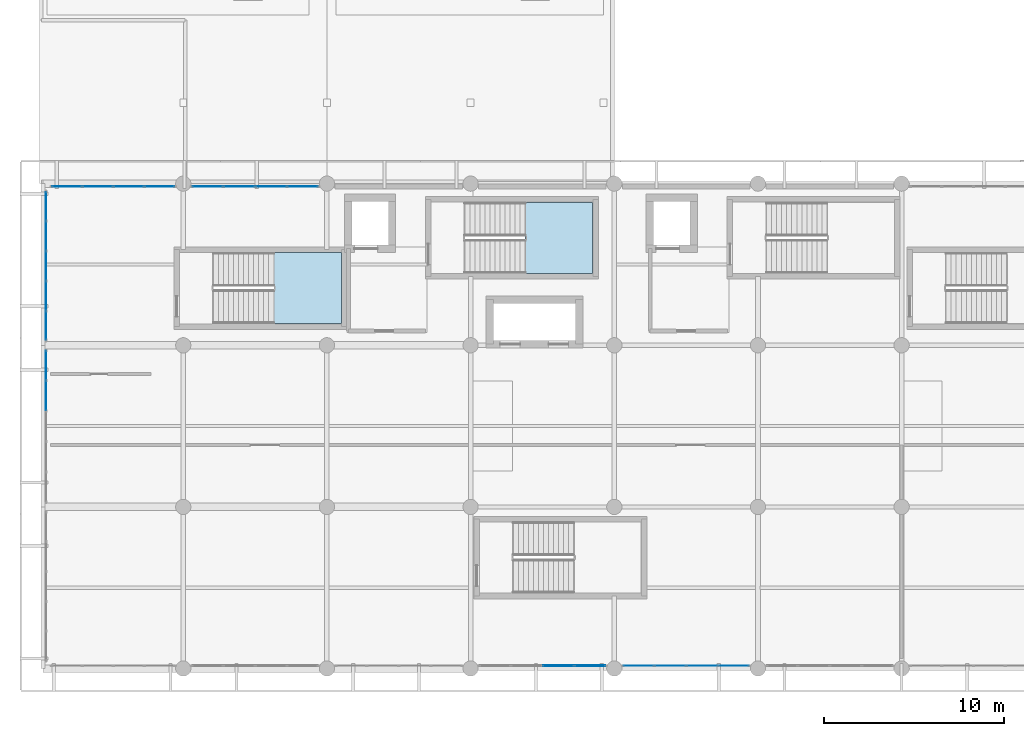
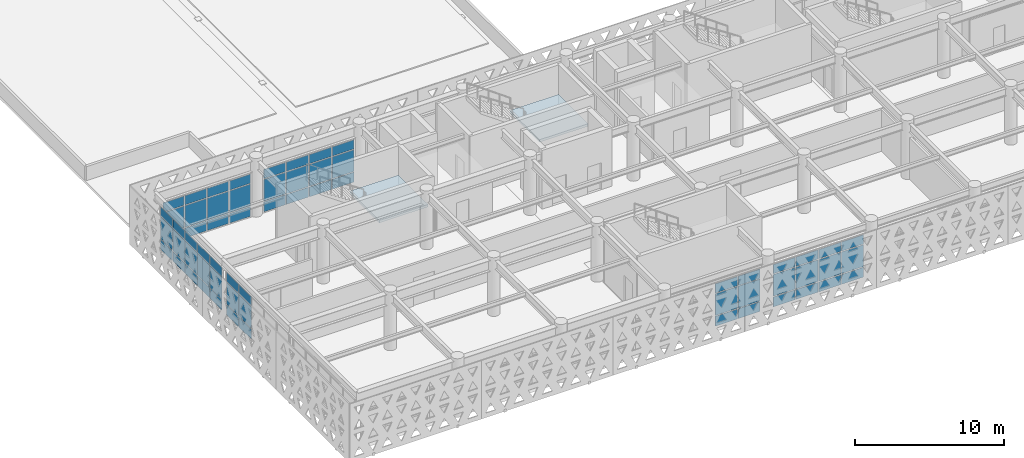
# One storey, part 28 of 54: 63 plates, 2 slabs, 8 elements without a shape of their own.
"""IFC4 building model written with IfcOpenShell, lengths in metres."""

from ifc_helpers import new_model, si_unit, direction, frame, origin, origin_2d, place, context, subcontext, project, spatial, polyline, rectangle, outline, extrude, material, layer, layer_set, type_object, element, aggregate, save


model = new_model("IFC4")

# Units and contexts
model_context = context("Model", 3, precision=1e-05, world=origin(), true_north=direction((0.0, 1.0)))
body_context = subcontext(model_context, "Body", "Model", "MODEL_VIEW")
ifc_project = project(units=[si_unit("LENGTHUNIT", "METRE"), si_unit("AREAUNIT", "SQUARE_METRE"), si_unit("VOLUMEUNIT", "CUBIC_METRE"), si_unit("PLANEANGLEUNIT", "RADIAN"), si_unit("MASSUNIT", "GRAM", prefix="KILO")], contexts=[model_context])

# Site, building, storey
site_placement = place(None, origin())
site = spatial("IfcSite", under=ifc_project, at=site_placement, CompositionType="ELEMENT")
building_placement = place(site_placement, origin())
building = spatial("IfcBuilding", under=site, at=building_placement, Name="Tlacozan Convention Centre", CompositionType="ELEMENT")
storey_placement = place(building_placement, frame((0.0, 0.0, 11.39990234375)))
storey = spatial("IfcBuildingStorey", under=building, at=storey_placement, Name="L02", CompositionType="ELEMENT", Elevation=11.39990234375)

# Curtain wall, plates
ifc_material_1 = material(Name="Dark Bronze Anodised Aluminium", Category="aluminium")
ifc_layer_1 = layer(ifc_material_1, 0.159912109375)
ifc_layer_set_1 = layer_set([ifc_layer_1], Name="Dark Bronze Anodised Aluminium")
curtain_wall_type_1 = type_object("IfcCurtainWallType", Name="Unitised Congress L02 South CW03", PredefinedType="NOTDEFINED", material=ifc_layer_set_1)
curtain_wall_1_placement = place(storey_placement, origin())
curtain_wall_1 = element("IfcCurtainWall", 1, at=curtain_wall_1_placement, inside=storey, type_object=curtain_wall_type_1, Name="L02 CW-03 Run 93", PredefinedType="NOTDEFINED")
ifc_material_2 = material(Name="Solar Control Double Low-E Argon Glazing", Category="glass")
ifc_layer_2 = layer(ifc_material_2, 0.030029296875)
ifc_layer_set_2 = layer_set([ifc_layer_2], Name="Solar Control Double Low-E Argon Glazing")
plate_type_1 = type_object("IfcPlateType", Name="Double Low-E Acoustic CW Panel 30", PredefinedType="CURTAIN_PANEL", material=ifc_layer_set_2)
plate_1_placement = place(storey_placement, frame((1.52880859375, 26.840087890625, 0.06494140625), z_axis=(0.0, 0.0, 1.0), x_axis=(1.0, 0.0, 0.0)))
plate_1 = element("IfcPlate", 2, at=plate_1_placement, type_object=plate_type_1, Name="CW-03 panel 1.1", PredefinedType="CURTAIN_PANEL", context=body_context, shape_type="SweptSolid", body=[
    extrude(rectangle(XDim=1.62744140625, YDim=0.030029296875, at=origin_2d()), origin(), (0.0, 0.0, 1.0), 0.802490234375),
])
plate_2_placement = place(storey_placement, frame((1.52880859375, 26.840087890625, 0.9326171875), z_axis=(0.0, 0.0, 1.0), x_axis=(1.0, 0.0, 0.0)))
plate_2 = element("IfcPlate", 3, at=plate_2_placement, type_object=plate_type_1, Name="CW-03 panel 1.2", PredefinedType="CURTAIN_PANEL", context=body_context, shape_type="SweptSolid", body=[
    extrude(rectangle(XDim=1.62744140625, YDim=0.030029296875, at=origin_2d()), origin(), (0.0, 0.0, 1.0), 1.77490234375),
])
plate_3_placement = place(storey_placement, frame((1.52880859375, 26.840087890625, 2.772705078125), z_axis=(0.0, 0.0, 1.0), x_axis=(1.0, 0.0, 0.0)))
plate_3 = element("IfcPlate", 4, at=plate_3_placement, type_object=plate_type_1, Name="CW-03 panel 1.3", PredefinedType="CURTAIN_PANEL", context=body_context, shape_type="SweptSolid", body=[
    extrude(rectangle(XDim=1.62744140625, YDim=0.030029296875, at=origin_2d()), origin(), (0.0, 0.0, 1.0), 0.75244140625),
])
plate_4_placement = place(storey_placement, frame((3.237548828125, 26.840087890625, 0.06494140625), z_axis=(0.0, 0.0, 1.0), x_axis=(1.0, 0.0, 0.0)))
plate_4 = element("IfcPlate", 5, at=plate_4_placement, type_object=plate_type_1, Name="CW-03 panel 2.1", PredefinedType="CURTAIN_PANEL", context=body_context, shape_type="SweptSolid", body=[
    extrude(rectangle(XDim=1.659912109375, YDim=0.030029296875, at=origin_2d()), origin(), (0.0, 0.0, 1.0), 0.802490234375),
])
plate_5_placement = place(storey_placement, frame((3.237548828125, 26.840087890625, 0.9326171875), z_axis=(0.0, 0.0, 1.0), x_axis=(1.0, 0.0, 0.0)))
plate_5 = element("IfcPlate", 6, at=plate_5_placement, type_object=plate_type_1, Name="CW-03 panel 2.2", PredefinedType="CURTAIN_PANEL", context=body_context, shape_type="SweptSolid", body=[
    extrude(rectangle(XDim=1.659912109375, YDim=0.030029296875, at=origin_2d()), origin(), (0.0, 0.0, 1.0), 1.77490234375),
])
plate_6_placement = place(storey_placement, frame((3.237548828125, 26.840087890625, 2.772705078125), z_axis=(0.0, 0.0, 1.0), x_axis=(1.0, 0.0, 0.0)))
plate_6 = element("IfcPlate", 7, at=plate_6_placement, type_object=plate_type_1, Name="CW-03 panel 2.3", PredefinedType="CURTAIN_PANEL", context=body_context, shape_type="SweptSolid", body=[
    extrude(rectangle(XDim=1.659912109375, YDim=0.030029296875, at=origin_2d()), origin(), (0.0, 0.0, 1.0), 0.75244140625),
])
plate_7_placement = place(storey_placement, frame((4.96240234375, 26.840087890625, 0.06494140625), z_axis=(0.0, 0.0, 1.0), x_axis=(1.0, 0.0, 0.0)))
plate_7 = element("IfcPlate", 8, at=plate_7_placement, type_object=plate_type_1, Name="CW-03 panel 3.1", PredefinedType="CURTAIN_PANEL", context=body_context, shape_type="SweptSolid", body=[
    extrude(rectangle(XDim=1.659912109375, YDim=0.030029296875, at=origin_2d()), origin(), (0.0, 0.0, 1.0), 0.802490234375),
])
plate_8_placement = place(storey_placement, frame((4.96240234375, 26.840087890625, 0.9326171875), z_axis=(0.0, 0.0, 1.0), x_axis=(1.0, 0.0, 0.0)))
plate_8 = element("IfcPlate", 9, at=plate_8_placement, type_object=plate_type_1, Name="CW-03 panel 3.2", PredefinedType="CURTAIN_PANEL", context=body_context, shape_type="SweptSolid", body=[
    extrude(rectangle(XDim=1.659912109375, YDim=0.030029296875, at=origin_2d()), origin(), (0.0, 0.0, 1.0), 1.77490234375),
])
plate_9_placement = place(storey_placement, frame((4.96240234375, 26.840087890625, 2.772705078125), z_axis=(0.0, 0.0, 1.0), x_axis=(1.0, 0.0, 0.0)))
plate_9 = element("IfcPlate", 10, at=plate_9_placement, type_object=plate_type_1, Name="CW-03 panel 3.3", PredefinedType="CURTAIN_PANEL", context=body_context, shape_type="SweptSolid", body=[
    extrude(rectangle(XDim=1.659912109375, YDim=0.030029296875, at=origin_2d()), origin(), (0.0, 0.0, 1.0), 0.75244140625),
])
plate_10_placement = place(storey_placement, frame((6.671142578125, 26.840087890625, 0.06494140625), z_axis=(0.0, 0.0, 1.0), x_axis=(1.0, 0.0, 0.0)))
plate_10 = element("IfcPlate", 11, at=plate_10_placement, type_object=plate_type_1, Name="CW-03 panel 4.1", PredefinedType="CURTAIN_PANEL", context=body_context, shape_type="SweptSolid", body=[
    extrude(rectangle(XDim=1.62744140625, YDim=0.030029296875, at=origin_2d()), origin(), (0.0, 0.0, 1.0), 0.802490234375),
])
plate_11_placement = place(storey_placement, frame((6.671142578125, 26.840087890625, 0.9326171875), z_axis=(0.0, 0.0, 1.0), x_axis=(1.0, 0.0, 0.0)))
plate_11 = element("IfcPlate", 12, at=plate_11_placement, type_object=plate_type_1, Name="CW-03 panel 4.2", PredefinedType="CURTAIN_PANEL", context=body_context, shape_type="SweptSolid", body=[
    extrude(rectangle(XDim=1.62744140625, YDim=0.030029296875, at=origin_2d()), origin(), (0.0, 0.0, 1.0), 1.77490234375),
])
plate_12_placement = place(storey_placement, frame((6.671142578125, 26.840087890625, 2.772705078125), z_axis=(0.0, 0.0, 1.0), x_axis=(1.0, 0.0, 0.0)))
plate_12 = element("IfcPlate", 13, at=plate_12_placement, type_object=plate_type_1, Name="CW-03 panel 4.3", PredefinedType="CURTAIN_PANEL", context=body_context, shape_type="SweptSolid", body=[
    extrude(rectangle(XDim=1.62744140625, YDim=0.030029296875, at=origin_2d()), origin(), (0.0, 0.0, 1.0), 0.75244140625),
])
aggregate(curtain_wall_1, [plate_1, plate_2, plate_3, plate_4, plate_5, plate_6, plate_7, plate_8, plate_9, plate_10, plate_11, plate_12])

curtain_wall_2_placement = place(storey_placement, origin())
curtain_wall_2 = element("IfcCurtainWall", 14, at=curtain_wall_2_placement, inside=storey, type_object=curtain_wall_type_1, Name="L02 CW-03 Run 94", PredefinedType="NOTDEFINED")
plate_13_placement = place(storey_placement, frame((9.353759765625, 26.840087890625, 0.06494140625), z_axis=(0.0, 0.0, 1.0), x_axis=(1.0, 0.0, 0.0)))
plate_13 = element("IfcPlate", 15, at=plate_13_placement, type_object=plate_type_1, Name="CW-03 panel 1.1", PredefinedType="CURTAIN_PANEL", context=body_context, shape_type="SweptSolid", body=[
    extrude(rectangle(XDim=1.677490234375, YDim=0.030029296875, at=origin_2d()), origin(), (0.0, 0.0, 1.0), 0.802490234375),
])
plate_14_placement = place(storey_placement, frame((9.353759765625, 26.840087890625, 0.9326171875), z_axis=(0.0, 0.0, 1.0), x_axis=(1.0, 0.0, 0.0)))
plate_14 = element("IfcPlate", 16, at=plate_14_placement, type_object=plate_type_1, Name="CW-03 panel 1.2", PredefinedType="CURTAIN_PANEL", context=body_context, shape_type="SweptSolid", body=[
    extrude(rectangle(XDim=1.677490234375, YDim=0.030029296875, at=origin_2d()), origin(), (0.0, 0.0, 1.0), 1.77490234375),
])
plate_15_placement = place(storey_placement, frame((9.353759765625, 26.840087890625, 2.772705078125), z_axis=(0.0, 0.0, 1.0), x_axis=(1.0, 0.0, 0.0)))
plate_15 = element("IfcPlate", 17, at=plate_15_placement, type_object=plate_type_1, Name="CW-03 panel 1.3", PredefinedType="CURTAIN_PANEL", context=body_context, shape_type="SweptSolid", body=[
    extrude(rectangle(XDim=1.677490234375, YDim=0.030029296875, at=origin_2d()), origin(), (0.0, 0.0, 1.0), 0.75244140625),
])
plate_16_placement = place(storey_placement, frame((11.112548828125, 26.840087890625, 0.06494140625), z_axis=(0.0, 0.0, 1.0), x_axis=(1.0, 0.0, 0.0)))
plate_16 = element("IfcPlate", 18, at=plate_16_placement, type_object=plate_type_1, Name="CW-03 panel 2.1", PredefinedType="CURTAIN_PANEL", context=body_context, shape_type="SweptSolid", body=[
    extrude(rectangle(XDim=1.7099609375, YDim=0.030029296875, at=origin_2d()), origin(), (0.0, 0.0, 1.0), 0.802490234375),
])
plate_17_placement = place(storey_placement, frame((11.112548828125, 26.840087890625, 0.9326171875), z_axis=(0.0, 0.0, 1.0), x_axis=(1.0, 0.0, 0.0)))
plate_17 = element("IfcPlate", 19, at=plate_17_placement, type_object=plate_type_1, Name="CW-03 panel 2.2", PredefinedType="CURTAIN_PANEL", context=body_context, shape_type="SweptSolid", body=[
    extrude(rectangle(XDim=1.7099609375, YDim=0.030029296875, at=origin_2d()), origin(), (0.0, 0.0, 1.0), 1.77490234375),
])
plate_18_placement = place(storey_placement, frame((11.112548828125, 26.840087890625, 2.772705078125), z_axis=(0.0, 0.0, 1.0), x_axis=(1.0, 0.0, 0.0)))
plate_18 = element("IfcPlate", 20, at=plate_18_placement, type_object=plate_type_1, Name="CW-03 panel 2.3", PredefinedType="CURTAIN_PANEL", context=body_context, shape_type="SweptSolid", body=[
    extrude(rectangle(XDim=1.7099609375, YDim=0.030029296875, at=origin_2d()), origin(), (0.0, 0.0, 1.0), 0.75244140625),
])
plate_19_placement = place(storey_placement, frame((12.887451171875, 26.840087890625, 0.06494140625), z_axis=(0.0, 0.0, 1.0), x_axis=(1.0, 0.0, 0.0)))
plate_19 = element("IfcPlate", 21, at=plate_19_placement, type_object=plate_type_1, Name="CW-03 panel 3.1", PredefinedType="CURTAIN_PANEL", context=body_context, shape_type="SweptSolid", body=[
    extrude(rectangle(XDim=1.7099609375, YDim=0.030029296875, at=origin_2d()), origin(), (0.0, 0.0, 1.0), 0.802490234375),
])
plate_20_placement = place(storey_placement, frame((12.887451171875, 26.840087890625, 0.9326171875), z_axis=(0.0, 0.0, 1.0), x_axis=(1.0, 0.0, 0.0)))
plate_20 = element("IfcPlate", 22, at=plate_20_placement, type_object=plate_type_1, Name="CW-03 panel 3.2", PredefinedType="CURTAIN_PANEL", context=body_context, shape_type="SweptSolid", body=[
    extrude(rectangle(XDim=1.7099609375, YDim=0.030029296875, at=origin_2d()), origin(), (0.0, 0.0, 1.0), 1.77490234375),
])
plate_21_placement = place(storey_placement, frame((12.887451171875, 26.840087890625, 2.772705078125), z_axis=(0.0, 0.0, 1.0), x_axis=(1.0, 0.0, 0.0)))
plate_21 = element("IfcPlate", 23, at=plate_21_placement, type_object=plate_type_1, Name="CW-03 panel 3.3", PredefinedType="CURTAIN_PANEL", context=body_context, shape_type="SweptSolid", body=[
    extrude(rectangle(XDim=1.7099609375, YDim=0.030029296875, at=origin_2d()), origin(), (0.0, 0.0, 1.0), 0.75244140625),
])
plate_22_placement = place(storey_placement, frame((14.646240234375, 26.840087890625, 0.06494140625), z_axis=(0.0, 0.0, 1.0), x_axis=(1.0, 0.0, 0.0)))
plate_22 = element("IfcPlate", 24, at=plate_22_placement, type_object=plate_type_1, Name="CW-03 panel 4.1", PredefinedType="CURTAIN_PANEL", context=body_context, shape_type="SweptSolid", body=[
    extrude(rectangle(XDim=1.677490234375, YDim=0.030029296875, at=origin_2d()), origin(), (0.0, 0.0, 1.0), 0.802490234375),
])
plate_23_placement = place(storey_placement, frame((14.646240234375, 26.840087890625, 0.9326171875), z_axis=(0.0, 0.0, 1.0), x_axis=(1.0, 0.0, 0.0)))
plate_23 = element("IfcPlate", 25, at=plate_23_placement, type_object=plate_type_1, Name="CW-03 panel 4.2", PredefinedType="CURTAIN_PANEL", context=body_context, shape_type="SweptSolid", body=[
    extrude(rectangle(XDim=1.677490234375, YDim=0.030029296875, at=origin_2d()), origin(), (0.0, 0.0, 1.0), 1.77490234375),
])
plate_24_placement = place(storey_placement, frame((14.646240234375, 26.840087890625, 2.772705078125), z_axis=(0.0, 0.0, 1.0), x_axis=(1.0, 0.0, 0.0)))
plate_24 = element("IfcPlate", 26, at=plate_24_placement, type_object=plate_type_1, Name="CW-03 panel 4.3", PredefinedType="CURTAIN_PANEL", context=body_context, shape_type="SweptSolid", body=[
    extrude(rectangle(XDim=1.677490234375, YDim=0.030029296875, at=origin_2d()), origin(), (0.0, 0.0, 1.0), 0.75244140625),
])
aggregate(curtain_wall_2, [plate_13, plate_14, plate_15, plate_16, plate_17, plate_18, plate_19, plate_20, plate_21, plate_22, plate_23, plate_24])

curtain_wall_3_placement = place(storey_placement, origin())
curtain_wall_3 = element("IfcCurtainWall", 27, at=curtain_wall_3_placement, inside=storey, type_object=curtain_wall_type_1, Name="L02 CW-03 Run 82", PredefinedType="NOTDEFINED")
ifc_layer_3 = layer(ifc_material_2, 0.02001953125)
ifc_layer_set_3 = layer_set([ifc_layer_3], Name="Solar Control Double Low-E Argon Glazing")
plate_type_2 = type_object("IfcPlateType", Name="Double Low-E Glazed CW Panel 20", PredefinedType="CURTAIN_PANEL", material=ifc_layer_set_3)
plate_25_placement = place(storey_placement, frame((33.353759765625, 0.159912109375, 0.06494140625), z_axis=(0.0, 0.0, 1.0), x_axis=(1.0, 0.0, 0.0)))
plate_25 = element("IfcPlate", 28, at=plate_25_placement, type_object=plate_type_2, Name="CW-03 panel 1.1", PredefinedType="CURTAIN_PANEL", context=body_context, shape_type="SweptSolid", body=[
    extrude(rectangle(XDim=1.677490234375, YDim=0.02001953125, at=origin_2d()), origin(), (0.0, 0.0, 1.0), 0.802490234375),
])
plate_26_placement = place(storey_placement, frame((33.353759765625, 0.159912109375, 0.9326171875), z_axis=(0.0, 0.0, 1.0), x_axis=(1.0, 0.0, 0.0)))
plate_26 = element("IfcPlate", 29, at=plate_26_placement, type_object=plate_type_2, Name="CW-03 panel 1.2", PredefinedType="CURTAIN_PANEL", context=body_context, shape_type="SweptSolid", body=[
    extrude(rectangle(XDim=1.677490234375, YDim=0.02001953125, at=origin_2d()), origin(), (0.0, 0.0, 1.0), 1.77490234375),
])
plate_27_placement = place(storey_placement, frame((33.353759765625, 0.159912109375, 2.772705078125), z_axis=(0.0, 0.0, 1.0), x_axis=(1.0, 0.0, 0.0)))
plate_27 = element("IfcPlate", 30, at=plate_27_placement, type_object=plate_type_2, Name="CW-03 panel 1.3", PredefinedType="CURTAIN_PANEL", context=body_context, shape_type="SweptSolid", body=[
    extrude(rectangle(XDim=1.677490234375, YDim=0.02001953125, at=origin_2d()), origin(), (0.0, 0.0, 1.0), 0.75244140625),
])
plate_28_placement = place(storey_placement, frame((35.112548828125, 0.159912109375, 0.06494140625), z_axis=(0.0, 0.0, 1.0), x_axis=(1.0, 0.0, 0.0)))
plate_28 = element("IfcPlate", 31, at=plate_28_placement, type_object=plate_type_2, Name="CW-03 panel 2.1", PredefinedType="CURTAIN_PANEL", context=body_context, shape_type="SweptSolid", body=[
    extrude(rectangle(XDim=1.7099609375, YDim=0.02001953125, at=origin_2d()), origin(), (0.0, 0.0, 1.0), 0.802490234375),
])
plate_29_placement = place(storey_placement, frame((35.112548828125, 0.159912109375, 0.9326171875), z_axis=(0.0, 0.0, 1.0), x_axis=(1.0, 0.0, 0.0)))
plate_29 = element("IfcPlate", 32, at=plate_29_placement, type_object=plate_type_2, Name="CW-03 panel 2.2", PredefinedType="CURTAIN_PANEL", context=body_context, shape_type="SweptSolid", body=[
    extrude(rectangle(XDim=1.7099609375, YDim=0.02001953125, at=origin_2d()), origin(), (0.0, 0.0, 1.0), 1.77490234375),
])
plate_30_placement = place(storey_placement, frame((35.112548828125, 0.159912109375, 2.772705078125), z_axis=(0.0, 0.0, 1.0), x_axis=(1.0, 0.0, 0.0)))
plate_30 = element("IfcPlate", 33, at=plate_30_placement, type_object=plate_type_2, Name="CW-03 panel 2.3", PredefinedType="CURTAIN_PANEL", context=body_context, shape_type="SweptSolid", body=[
    extrude(rectangle(XDim=1.7099609375, YDim=0.02001953125, at=origin_2d()), origin(), (0.0, 0.0, 1.0), 0.75244140625),
])
plate_31_placement = place(storey_placement, frame((36.887451171875, 0.159912109375, 0.06494140625), z_axis=(0.0, 0.0, 1.0), x_axis=(1.0, 0.0, 0.0)))
plate_31 = element("IfcPlate", 34, at=plate_31_placement, type_object=plate_type_2, Name="CW-03 panel 3.1", PredefinedType="CURTAIN_PANEL", context=body_context, shape_type="SweptSolid", body=[
    extrude(rectangle(XDim=1.7099609375, YDim=0.02001953125, at=origin_2d()), origin(), (0.0, 0.0, 1.0), 0.802490234375),
])
plate_32_placement = place(storey_placement, frame((36.887451171875, 0.159912109375, 0.9326171875), z_axis=(0.0, 0.0, 1.0), x_axis=(1.0, 0.0, 0.0)))
plate_32 = element("IfcPlate", 35, at=plate_32_placement, type_object=plate_type_2, Name="CW-03 panel 3.2", PredefinedType="CURTAIN_PANEL", context=body_context, shape_type="SweptSolid", body=[
    extrude(rectangle(XDim=1.7099609375, YDim=0.02001953125, at=origin_2d()), origin(), (0.0, 0.0, 1.0), 1.77490234375),
])
plate_33_placement = place(storey_placement, frame((36.887451171875, 0.159912109375, 2.772705078125), z_axis=(0.0, 0.0, 1.0), x_axis=(1.0, 0.0, 0.0)))
plate_33 = element("IfcPlate", 36, at=plate_33_placement, type_object=plate_type_2, Name="CW-03 panel 3.3", PredefinedType="CURTAIN_PANEL", context=body_context, shape_type="SweptSolid", body=[
    extrude(rectangle(XDim=1.7099609375, YDim=0.02001953125, at=origin_2d()), origin(), (0.0, 0.0, 1.0), 0.75244140625),
])
plate_34_placement = place(storey_placement, frame((38.646240234375, 0.159912109375, 0.06494140625), z_axis=(0.0, 0.0, 1.0), x_axis=(1.0, 0.0, 0.0)))
plate_34 = element("IfcPlate", 37, at=plate_34_placement, type_object=plate_type_2, Name="CW-03 panel 4.1", PredefinedType="CURTAIN_PANEL", context=body_context, shape_type="SweptSolid", body=[
    extrude(rectangle(XDim=1.677490234375, YDim=0.02001953125, at=origin_2d()), origin(), (0.0, 0.0, 1.0), 0.802490234375),
])
plate_35_placement = place(storey_placement, frame((38.646240234375, 0.159912109375, 0.9326171875), z_axis=(0.0, 0.0, 1.0), x_axis=(1.0, 0.0, 0.0)))
plate_35 = element("IfcPlate", 38, at=plate_35_placement, type_object=plate_type_2, Name="CW-03 panel 4.2", PredefinedType="CURTAIN_PANEL", context=body_context, shape_type="SweptSolid", body=[
    extrude(rectangle(XDim=1.677490234375, YDim=0.02001953125, at=origin_2d()), origin(), (0.0, 0.0, 1.0), 1.77490234375),
])
plate_36_placement = place(storey_placement, frame((38.646240234375, 0.159912109375, 2.772705078125), z_axis=(0.0, 0.0, 1.0), x_axis=(1.0, 0.0, 0.0)))
plate_36 = element("IfcPlate", 39, at=plate_36_placement, type_object=plate_type_2, Name="CW-03 panel 4.3", PredefinedType="CURTAIN_PANEL", context=body_context, shape_type="SweptSolid", body=[
    extrude(rectangle(XDim=1.677490234375, YDim=0.02001953125, at=origin_2d()), origin(), (0.0, 0.0, 1.0), 0.75244140625),
])
aggregate(curtain_wall_3, [plate_25, plate_26, plate_27, plate_28, plate_29, plate_30, plate_31, plate_32, plate_33, plate_34, plate_35, plate_36])

ifc_layer_4 = layer(ifc_material_1, 0.159912109375)
ifc_layer_set_4 = layer_set([ifc_layer_4], Name="Dark Bronze Anodised Aluminium")
curtain_wall_type_2 = type_object("IfcCurtainWallType", Name="Unitised Congress Gable End CW06", PredefinedType="NOTDEFINED", material=ifc_layer_set_4)
curtain_wall_4_placement = place(storey_placement, origin())
curtain_wall_4 = element("IfcCurtainWall", 40, at=curtain_wall_4_placement, inside=storey, type_object=curtain_wall_type_2, Name="L02 CW-06 Run 98", PredefinedType="NOTDEFINED")
plate_37_placement = place(storey_placement, frame((0.360107421875, 15.199951171875, 0.06005859375), z_axis=(0.0, 0.0, 1.0), x_axis=(0.0, 1.0, 0.0)))
plate_37 = element("IfcPlate", 41, at=plate_37_placement, type_object=plate_type_2, Name="CW-06 panel 4.1", PredefinedType="CURTAIN_PANEL", context=body_context, shape_type="SweptSolid", body=[
    extrude(rectangle(XDim=1.639892578125, YDim=0.02001953125, at=origin_2d()), origin(), (0.0, 0.0, 1.0), 0.81005859375),
])
plate_38_placement = place(storey_placement, frame((0.360107421875, 15.199951171875, 0.93017578125), z_axis=(0.0, 0.0, 1.0), x_axis=(0.0, 1.0, 0.0)))
plate_38 = element("IfcPlate", 42, at=plate_38_placement, type_object=plate_type_2, Name="CW-06 panel 4.2", PredefinedType="CURTAIN_PANEL", context=body_context, shape_type="SweptSolid", body=[
    extrude(rectangle(XDim=1.639892578125, YDim=0.02001953125, at=origin_2d()), origin(), (0.0, 0.0, 1.0), 1.780029296875),
])
plate_39_placement = place(storey_placement, frame((0.360107421875, 15.199951171875, 2.77001953125), z_axis=(0.0, 0.0, 1.0), x_axis=(0.0, 1.0, 0.0)))
plate_39 = element("IfcPlate", 43, at=plate_39_placement, type_object=plate_type_2, Name="CW-06 panel 4.3", PredefinedType="CURTAIN_PANEL", context=body_context, shape_type="SweptSolid", body=[
    extrude(rectangle(XDim=1.639892578125, YDim=0.02001953125, at=origin_2d()), origin(), (0.0, 0.0, 1.0), 0.760009765625),
])
plate_40_placement = place(storey_placement, frame((0.360107421875, 16.885009765625, 0.06005859375), z_axis=(0.0, 0.0, 1.0), x_axis=(0.0, 1.0, 0.0)))
plate_40 = element("IfcPlate", 44, at=plate_40_placement, type_object=plate_type_2, Name="CW-06 panel 5.1", PredefinedType="CURTAIN_PANEL", context=body_context, shape_type="SweptSolid", body=[
    extrude(rectangle(XDim=1.610107421875, YDim=0.02001953125, at=origin_2d()), origin(), (0.0, 0.0, 1.0), 0.81005859375),
])
plate_41_placement = place(storey_placement, frame((0.360107421875, 16.885009765625, 0.93017578125), z_axis=(0.0, 0.0, 1.0), x_axis=(0.0, 1.0, 0.0)))
plate_41 = element("IfcPlate", 45, at=plate_41_placement, type_object=plate_type_2, Name="CW-06 panel 5.2", PredefinedType="CURTAIN_PANEL", context=body_context, shape_type="SweptSolid", body=[
    extrude(rectangle(XDim=1.610107421875, YDim=0.02001953125, at=origin_2d()), origin(), (0.0, 0.0, 1.0), 1.780029296875),
])
plate_42_placement = place(storey_placement, frame((0.360107421875, 16.885009765625, 2.77001953125), z_axis=(0.0, 0.0, 1.0), x_axis=(0.0, 1.0, 0.0)))
plate_42 = element("IfcPlate", 46, at=plate_42_placement, type_object=plate_type_2, Name="CW-06 panel 5.3", PredefinedType="CURTAIN_PANEL", context=body_context, shape_type="SweptSolid", body=[
    extrude(rectangle(XDim=1.610107421875, YDim=0.02001953125, at=origin_2d()), origin(), (0.0, 0.0, 1.0), 0.760009765625),
])
aggregate(curtain_wall_4, [plate_37, plate_38, plate_39, plate_40, plate_41, plate_42])

curtain_wall_5_placement = place(storey_placement, origin())
curtain_wall_5 = element("IfcCurtainWall", 47, at=curtain_wall_5_placement, inside=storey, type_object=curtain_wall_type_2, Name="L02 CW-06 Run 100", PredefinedType="NOTDEFINED")
plate_43_placement = place(storey_placement, frame((0.360107421875, 19.09912109375, 0.06005859375), z_axis=(0.0, 0.0, 1.0), x_axis=(0.0, 1.0, 0.0)))
plate_43 = element("IfcPlate", 48, at=plate_43_placement, type_object=plate_type_2, Name="CW-06 panel 1.1", PredefinedType="CURTAIN_PANEL", context=body_context, shape_type="SweptSolid", body=[
    extrude(rectangle(XDim=1.577880859375, YDim=0.02001953125, at=origin_2d()), origin(), (0.0, 0.0, 1.0), 0.81005859375),
])
plate_44_placement = place(storey_placement, frame((0.360107421875, 19.09912109375, 0.93017578125), z_axis=(0.0, 0.0, 1.0), x_axis=(0.0, 1.0, 0.0)))
plate_44 = element("IfcPlate", 49, at=plate_44_placement, type_object=plate_type_2, Name="CW-06 panel 1.2", PredefinedType="CURTAIN_PANEL", context=body_context, shape_type="SweptSolid", body=[
    extrude(rectangle(XDim=1.577880859375, YDim=0.02001953125, at=origin_2d()), origin(), (0.0, 0.0, 1.0), 1.780029296875),
])
plate_45_placement = place(storey_placement, frame((0.360107421875, 19.09912109375, 2.77001953125), z_axis=(0.0, 0.0, 1.0), x_axis=(0.0, 1.0, 0.0)))
plate_45 = element("IfcPlate", 50, at=plate_45_placement, type_object=plate_type_2, Name="CW-06 panel 1.3", PredefinedType="CURTAIN_PANEL", context=body_context, shape_type="SweptSolid", body=[
    extrude(rectangle(XDim=1.577880859375, YDim=0.02001953125, at=origin_2d()), origin(), (0.0, 0.0, 1.0), 0.760009765625),
])
plate_46_placement = place(storey_placement, frame((0.360107421875, 20.751953125, 0.06005859375), z_axis=(0.0, 0.0, 1.0), x_axis=(0.0, 1.0, 0.0)))
plate_46 = element("IfcPlate", 51, at=plate_46_placement, type_object=plate_type_2, Name="CW-06 panel 2.1", PredefinedType="CURTAIN_PANEL", context=body_context, shape_type="SweptSolid", body=[
    extrude(rectangle(XDim=1.60791015625, YDim=0.02001953125, at=origin_2d()), origin(), (0.0, 0.0, 1.0), 0.81005859375),
])
plate_47_placement = place(storey_placement, frame((0.360107421875, 20.751953125, 0.93017578125), z_axis=(0.0, 0.0, 1.0), x_axis=(0.0, 1.0, 0.0)))
plate_47 = element("IfcPlate", 52, at=plate_47_placement, type_object=plate_type_2, Name="CW-06 panel 2.2", PredefinedType="CURTAIN_PANEL", context=body_context, shape_type="SweptSolid", body=[
    extrude(rectangle(XDim=1.60791015625, YDim=0.02001953125, at=origin_2d()), origin(), (0.0, 0.0, 1.0), 1.780029296875),
])
plate_48_placement = place(storey_placement, frame((0.360107421875, 20.751953125, 2.77001953125), z_axis=(0.0, 0.0, 1.0), x_axis=(0.0, 1.0, 0.0)))
plate_48 = element("IfcPlate", 53, at=plate_48_placement, type_object=plate_type_2, Name="CW-06 panel 2.3", PredefinedType="CURTAIN_PANEL", context=body_context, shape_type="SweptSolid", body=[
    extrude(rectangle(XDim=1.60791015625, YDim=0.02001953125, at=origin_2d()), origin(), (0.0, 0.0, 1.0), 0.760009765625),
])
plate_49_placement = place(storey_placement, frame((0.360107421875, 22.419921875, 0.06005859375), z_axis=(0.0, 0.0, 1.0), x_axis=(0.0, 1.0, 0.0)))
plate_49 = element("IfcPlate", 54, at=plate_49_placement, type_object=plate_type_2, Name="CW-06 panel 3.1", PredefinedType="CURTAIN_PANEL", context=body_context, shape_type="SweptSolid", body=[
    extrude(rectangle(XDim=1.60791015625, YDim=0.02001953125, at=origin_2d()), origin(), (0.0, 0.0, 1.0), 0.81005859375),
])
plate_50_placement = place(storey_placement, frame((0.360107421875, 22.419921875, 0.93017578125), z_axis=(0.0, 0.0, 1.0), x_axis=(0.0, 1.0, 0.0)))
plate_50 = element("IfcPlate", 55, at=plate_50_placement, type_object=plate_type_2, Name="CW-06 panel 3.2", PredefinedType="CURTAIN_PANEL", context=body_context, shape_type="SweptSolid", body=[
    extrude(rectangle(XDim=1.60791015625, YDim=0.02001953125, at=origin_2d()), origin(), (0.0, 0.0, 1.0), 1.780029296875),
])
plate_51_placement = place(storey_placement, frame((0.360107421875, 22.419921875, 2.77001953125), z_axis=(0.0, 0.0, 1.0), x_axis=(0.0, 1.0, 0.0)))
plate_51 = element("IfcPlate", 56, at=plate_51_placement, type_object=plate_type_2, Name="CW-06 panel 3.3", PredefinedType="CURTAIN_PANEL", context=body_context, shape_type="SweptSolid", body=[
    extrude(rectangle(XDim=1.60791015625, YDim=0.02001953125, at=origin_2d()), origin(), (0.0, 0.0, 1.0), 0.760009765625),
])
plate_52_placement = place(storey_placement, frame((0.360107421875, 24.087890625, 0.06005859375), z_axis=(0.0, 0.0, 1.0), x_axis=(0.0, 1.0, 0.0)))
plate_52 = element("IfcPlate", 57, at=plate_52_placement, type_object=plate_type_2, Name="CW-06 panel 4.1", PredefinedType="CURTAIN_PANEL", context=body_context, shape_type="SweptSolid", body=[
    extrude(rectangle(XDim=1.60791015625, YDim=0.02001953125, at=origin_2d()), origin(), (0.0, 0.0, 1.0), 0.81005859375),
])
plate_53_placement = place(storey_placement, frame((0.360107421875, 24.087890625, 0.93017578125), z_axis=(0.0, 0.0, 1.0), x_axis=(0.0, 1.0, 0.0)))
plate_53 = element("IfcPlate", 58, at=plate_53_placement, type_object=plate_type_2, Name="CW-06 panel 4.2", PredefinedType="CURTAIN_PANEL", context=body_context, shape_type="SweptSolid", body=[
    extrude(rectangle(XDim=1.60791015625, YDim=0.02001953125, at=origin_2d()), origin(), (0.0, 0.0, 1.0), 1.780029296875),
])
plate_54_placement = place(storey_placement, frame((0.360107421875, 24.087890625, 2.77001953125), z_axis=(0.0, 0.0, 1.0), x_axis=(0.0, 1.0, 0.0)))
plate_54 = element("IfcPlate", 59, at=plate_54_placement, type_object=plate_type_2, Name="CW-06 panel 4.3", PredefinedType="CURTAIN_PANEL", context=body_context, shape_type="SweptSolid", body=[
    extrude(rectangle(XDim=1.60791015625, YDim=0.02001953125, at=origin_2d()), origin(), (0.0, 0.0, 1.0), 0.760009765625),
])
plate_55_placement = place(storey_placement, frame((0.360107421875, 25.740966796875, 0.06005859375), z_axis=(0.0, 0.0, 1.0), x_axis=(0.0, 1.0, 0.0)))
plate_55 = element("IfcPlate", 60, at=plate_55_placement, type_object=plate_type_2, Name="CW-06 panel 5.1", PredefinedType="CURTAIN_PANEL", context=body_context, shape_type="SweptSolid", body=[
    extrude(rectangle(XDim=1.577880859375, YDim=0.02001953125, at=origin_2d()), origin(), (0.0, 0.0, 1.0), 0.81005859375),
])
plate_56_placement = place(storey_placement, frame((0.360107421875, 25.740966796875, 0.93017578125), z_axis=(0.0, 0.0, 1.0), x_axis=(0.0, 1.0, 0.0)))
plate_56 = element("IfcPlate", 61, at=plate_56_placement, type_object=plate_type_2, Name="CW-06 panel 5.2", PredefinedType="CURTAIN_PANEL", context=body_context, shape_type="SweptSolid", body=[
    extrude(rectangle(XDim=1.577880859375, YDim=0.02001953125, at=origin_2d()), origin(), (0.0, 0.0, 1.0), 1.780029296875),
])
plate_57_placement = place(storey_placement, frame((0.360107421875, 25.740966796875, 2.77001953125), z_axis=(0.0, 0.0, 1.0), x_axis=(0.0, 1.0, 0.0)))
plate_57 = element("IfcPlate", 62, at=plate_57_placement, type_object=plate_type_2, Name="CW-06 panel 5.3", PredefinedType="CURTAIN_PANEL", context=body_context, shape_type="SweptSolid", body=[
    extrude(rectangle(XDim=1.577880859375, YDim=0.02001953125, at=origin_2d()), origin(), (0.0, 0.0, 1.0), 0.760009765625),
])
aggregate(curtain_wall_5, [plate_43, plate_44, plate_45, plate_46, plate_47, plate_48, plate_49, plate_50, plate_51, plate_52, plate_53, plate_54, plate_55, plate_56, plate_57])

curtain_wall_6_placement = place(storey_placement, origin())
curtain_wall_6 = element("IfcCurtainWall", 63, at=curtain_wall_6_placement, inside=storey, type_object=curtain_wall_type_1, Name="L02 CW-03 Run 81", PredefinedType="NOTDEFINED")
ifc_layer_5 = layer(ifc_material_2, 0.0400390625)
ifc_layer_set_5 = layer_set([ifc_layer_5], Name="Solar Control Double Low-E Argon Glazing")
plate_type_3 = type_object("IfcPlateType", Name="Insulated Spandrel CW Panel 40", PredefinedType="CURTAIN_PANEL", material=ifc_layer_set_5)
plate_58_placement = place(storey_placement, frame((28.887451171875, 0.159912109375, 0.06494140625), z_axis=(0.0, 0.0, 1.0), x_axis=(1.0, 0.0, 0.0)))
plate_58 = element("IfcPlate", 64, at=plate_58_placement, type_object=plate_type_3, Name="CW-03 panel 3.1", PredefinedType="CURTAIN_PANEL", context=body_context, shape_type="SweptSolid", body=[
    extrude(rectangle(XDim=1.7099609375, YDim=0.0400390625, at=origin_2d()), origin(), (0.0, 0.0, 1.0), 0.802490234375),
])
plate_59_placement = place(storey_placement, frame((28.887451171875, 0.159912109375, 0.9326171875), z_axis=(0.0, 0.0, 1.0), x_axis=(1.0, 0.0, 0.0)))
plate_59 = element("IfcPlate", 65, at=plate_59_placement, type_object=plate_type_3, Name="CW-03 panel 3.2", PredefinedType="CURTAIN_PANEL", context=body_context, shape_type="SweptSolid", body=[
    extrude(rectangle(XDim=1.7099609375, YDim=0.0400390625, at=origin_2d()), origin(), (0.0, 0.0, 1.0), 1.77490234375),
])
plate_60_placement = place(storey_placement, frame((28.887451171875, 0.159912109375, 2.772705078125), z_axis=(0.0, 0.0, 1.0), x_axis=(1.0, 0.0, 0.0)))
plate_60 = element("IfcPlate", 66, at=plate_60_placement, type_object=plate_type_3, Name="CW-03 panel 3.3", PredefinedType="CURTAIN_PANEL", context=body_context, shape_type="SweptSolid", body=[
    extrude(rectangle(XDim=1.7099609375, YDim=0.0400390625, at=origin_2d()), origin(), (0.0, 0.0, 1.0), 0.75244140625),
])
plate_61_placement = place(storey_placement, frame((30.646240234375, 0.159912109375, 0.06494140625), z_axis=(0.0, 0.0, 1.0), x_axis=(1.0, 0.0, 0.0)))
plate_61 = element("IfcPlate", 67, at=plate_61_placement, type_object=plate_type_3, Name="CW-03 panel 4.1", PredefinedType="CURTAIN_PANEL", context=body_context, shape_type="SweptSolid", body=[
    extrude(rectangle(XDim=1.677490234375, YDim=0.0400390625, at=origin_2d()), origin(), (0.0, 0.0, 1.0), 0.802490234375),
])
plate_62_placement = place(storey_placement, frame((30.646240234375, 0.159912109375, 0.9326171875), z_axis=(0.0, 0.0, 1.0), x_axis=(1.0, 0.0, 0.0)))
plate_62 = element("IfcPlate", 68, at=plate_62_placement, type_object=plate_type_3, Name="CW-03 panel 4.2", PredefinedType="CURTAIN_PANEL", context=body_context, shape_type="SweptSolid", body=[
    extrude(rectangle(XDim=1.677490234375, YDim=0.0400390625, at=origin_2d()), origin(), (0.0, 0.0, 1.0), 1.77490234375),
])
plate_63_placement = place(storey_placement, frame((30.646240234375, 0.159912109375, 2.772705078125), z_axis=(0.0, 0.0, 1.0), x_axis=(1.0, 0.0, 0.0)))
plate_63 = element("IfcPlate", 69, at=plate_63_placement, type_object=plate_type_3, Name="CW-03 panel 4.3", PredefinedType="CURTAIN_PANEL", context=body_context, shape_type="SweptSolid", body=[
    extrude(rectangle(XDim=1.677490234375, YDim=0.0400390625, at=origin_2d()), origin(), (0.0, 0.0, 1.0), 0.75244140625),
])
aggregate(curtain_wall_6, [plate_58, plate_59, plate_60, plate_61, plate_62, plate_63])

# Stair, slab
ifc_material_3 = material(Name="Concrete C40/50", Category="concrete")
stair_type = type_object("IfcStairType", Name="Protected Dogleg Stair W188 H48", PredefinedType="HALF_TURN_STAIR", material=ifc_material_3)
stair_1_placement = place(storey_placement, origin())
stair_1 = element("IfcStair", 70, at=stair_1_placement, inside=storey, type_object=stair_type, Name="L02 West Congress Core Stair ST-01", PredefinedType="HALF_TURN_STAIR")
ifc_layer_6 = layer(ifc_material_3, 0.199951171875)
ifc_layer_set_6 = layer_set([ifc_layer_6], Name="Concrete C40/50")
slab_type = type_object("IfcSlabType", Name="Stair Half Landing Slab 200", PredefinedType="LANDING", material=ifc_layer_set_6)
slab_1_placement = place(storey_placement, frame((0.0, 0.0, 2.2001953125)))
slab_1 = element("IfcSlab", 71, at=slab_1_placement, type_object=slab_type, Name="ST-01 landing 1", PredefinedType="LANDING", context=body_context, shape_type="SweptSolid", body=[
    extrude(outline(polyline([(27.0400390625, 22.0), (30.800048828125, 22.0), (30.800048828125, 25.9599609375), (27.0400390625, 25.9599609375), (27.0400390625, 22.0)])), origin(), (0.0, 0.0, 1.0), 0.199951171875),
])
aggregate(stair_1, [slab_1])

stair_2_placement = place(storey_placement, origin())
stair_2 = element("IfcStair", 72, at=stair_2_placement, inside=storey, type_object=stair_type, Name="L02 West Belvedere Congress Stair", PredefinedType="HALF_TURN_STAIR")
slab_2_placement = place(storey_placement, frame((0.0, 0.0, 2.2001953125)))
slab_2 = element("IfcSlab", 73, at=slab_2_placement, type_object=slab_type, Name="ST-13 landing 1", PredefinedType="LANDING", context=body_context, shape_type="SweptSolid", body=[
    extrude(outline(polyline([(13.0400390625, 19.199951171875), (16.800048828125, 19.199951171875), (16.800048828125, 23.159912109375), (13.0400390625, 23.159912109375), (13.0400390625, 19.199951171875)])), origin(), (0.0, 0.0, 1.0), 0.199951171875),
])
aggregate(stair_2, [slab_2])

save(model, "model.ifc")
